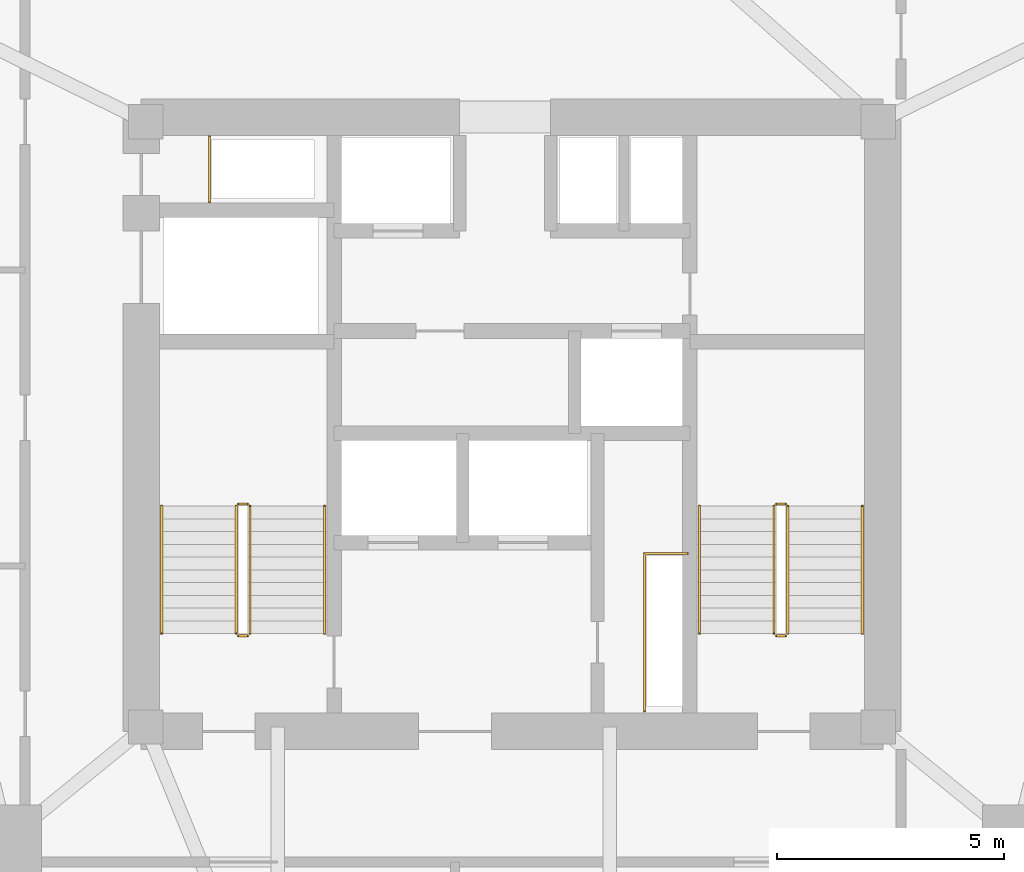
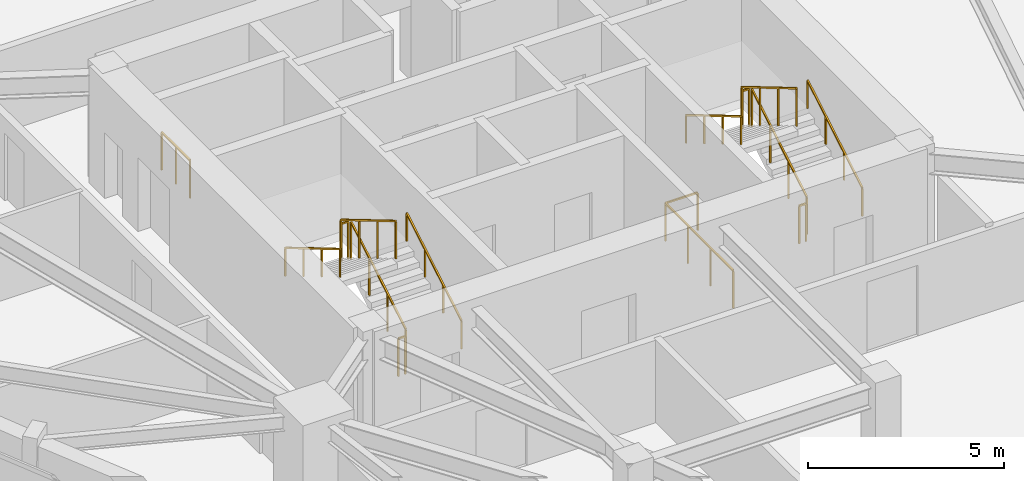
# One storey, part 11 of 11: 14 railings.
"""IFC4 building model written with IfcOpenShell, lengths in metres."""

from ifc_helpers import new_model, si_unit, direction, frame, origin, origin_2d, place, context, subcontext, project, spatial, rectangle, extrude, material, type_object, element, save


model = new_model("IFC4")

# Units and contexts
model_context = context("Model", 3, precision=1e-05, world=origin(), true_north=direction((0.0, 1.0)))
body_context = subcontext(model_context, "Body", "Model", "MODEL_VIEW")
ifc_project = project(units=[si_unit("LENGTHUNIT", "METRE"), si_unit("AREAUNIT", "SQUARE_METRE"), si_unit("VOLUMEUNIT", "CUBIC_METRE"), si_unit("PLANEANGLEUNIT", "RADIAN"), si_unit("MASSUNIT", "GRAM", prefix="KILO")], contexts=[model_context])

# Site, building, storey
site_placement = place(None, origin())
site = spatial("IfcSite", under=ifc_project, at=site_placement, CompositionType="ELEMENT")
building_placement = place(site_placement, origin())
building = spatial("IfcBuilding", under=site, at=building_placement, Name="Talyreon Biosciences Tower", CompositionType="ELEMENT")
storey_placement = place(building_placement, frame((0.0, 0.0, 160.050048828125)))
storey = spatial("IfcBuildingStorey", under=building, at=storey_placement, Name="L42", CompositionType="ELEMENT", Elevation=160.050048828125)

# Railings
ifc_material_1 = material(Name="Brushed stainless-steel tubular handrail", Category="steel")
railing_type_1 = type_object("IfcRailingType", Name="StairWallHandrail_900", PredefinedType="HANDRAIL", material=ifc_material_1)
railing_1_placement = place(storey_placement, frame((61.8798828125, 63.39990234375, 0.165771484375)))
element("IfcRailing", 1, at=railing_1_placement, inside=storey, type_object=railing_type_1, Name="L42 ST-1 stair handrail 1", PredefinedType="HANDRAIL", context=body_context, shape_type="SweptSolid", body=[
    extrude(rectangle(XDim=0.048095703125, YDim=0.048095703125, at=origin_2d()), frame((0.0, 0.0, 0.8759765625), z_axis=(0.0, 0.860306154799, 0.50977771628), x_axis=(-1.0, 0.0, 0.0)), (0.0, 0.0, 1.0), 3.254638671875),
    extrude(rectangle(XDim=0.0419921875, YDim=0.0419921875, at=origin_2d()), origin(), (0.0, 0.0, 1.0), 0.851806640625),
    extrude(rectangle(XDim=0.0419921875, YDim=0.0419921875, at=origin_2d()), frame((0.0, 0.933349609375, 0.552978515625)), (0.0, 0.0, 1.0), 0.851806640625),
    extrude(rectangle(XDim=0.0419921875, YDim=0.0419921875, at=origin_2d()), frame((0.0, 1.86669921875, 1.106201171875)), (0.0, 0.0, 1.0), 0.851806640625),
    extrude(rectangle(XDim=0.0419921875, YDim=0.0419921875, at=origin_2d()), frame((0.0, 2.800048828125, 1.6591796875)), (0.0, 0.0, 1.0), 0.851806640625),
])
railing_2_placement = place(storey_placement, frame((58.300048828125, 66.199951171875, 1.990966796875)))
element("IfcRailing", 2, at=railing_2_placement, inside=storey, type_object=railing_type_1, Name="L42 ST-1 stair handrail 2", PredefinedType="HANDRAIL", context=body_context, shape_type="SweptSolid", body=[
    extrude(rectangle(XDim=0.048095703125, YDim=0.048095703125, at=origin_2d()), frame((0.0, 0.0, 0.8759765625), z_axis=(0.0, -0.860339051648, 0.50972219513), x_axis=(1.0, 0.0, 0.0)), (0.0, 0.0, 1.0), 3.254638671875),
    extrude(rectangle(XDim=0.0419921875, YDim=0.0419921875, at=origin_2d()), origin(), (0.0, 0.0, 1.0), 0.851806640625),
    extrude(rectangle(XDim=0.0419921875, YDim=0.0419921875, at=origin_2d()), frame((0.0, -0.933349609375, 0.552978515625)), (0.0, 0.0, 1.0), 0.851806640625),
    extrude(rectangle(XDim=0.0419921875, YDim=0.0419921875, at=origin_2d()), frame((0.0, -1.86669921875, 1.10595703125)), (0.0, 0.0, 1.0), 0.851806640625),
    extrude(rectangle(XDim=0.0419921875, YDim=0.0419921875, at=origin_2d()), frame((0.0, -2.800048828125, 1.658935546875)), (0.0, 0.0, 1.0), 0.851806640625),
])
railing_3_placement = place(storey_placement, frame((73.699951171875, 63.39990234375, 0.165771484375)))
element("IfcRailing", 3, at=railing_3_placement, inside=storey, type_object=railing_type_1, Name="L42 ST-2 stair handrail 1", PredefinedType="HANDRAIL", context=body_context, shape_type="SweptSolid", body=[
    extrude(rectangle(XDim=0.048095703125, YDim=0.048095703125, at=origin_2d()), frame((0.0, 0.0, 0.8759765625), z_axis=(0.0, 0.860306154799, 0.50977771628), x_axis=(-1.0, 0.0, 0.0)), (0.0, 0.0, 1.0), 3.254638671875),
    extrude(rectangle(XDim=0.0419921875, YDim=0.0419921875, at=origin_2d()), origin(), (0.0, 0.0, 1.0), 0.851806640625),
    extrude(rectangle(XDim=0.0419921875, YDim=0.0419921875, at=origin_2d()), frame((0.0, 0.933349609375, 0.552978515625)), (0.0, 0.0, 1.0), 0.851806640625),
    extrude(rectangle(XDim=0.0419921875, YDim=0.0419921875, at=origin_2d()), frame((0.0, 1.86669921875, 1.106201171875)), (0.0, 0.0, 1.0), 0.851806640625),
    extrude(rectangle(XDim=0.0419921875, YDim=0.0419921875, at=origin_2d()), frame((0.0, 2.800048828125, 1.6591796875)), (0.0, 0.0, 1.0), 0.851806640625),
])
railing_4_placement = place(storey_placement, frame((70.1201171875, 66.199951171875, 1.990966796875)))
element("IfcRailing", 4, at=railing_4_placement, inside=storey, type_object=railing_type_1, Name="L42 ST-2 stair handrail 2", PredefinedType="HANDRAIL", context=body_context, shape_type="SweptSolid", body=[
    extrude(rectangle(XDim=0.048095703125, YDim=0.048095703125, at=origin_2d()), frame((0.0, 0.0, 0.8759765625), z_axis=(0.0, -0.860339051648, 0.50972219513), x_axis=(1.0, 0.0, 0.0)), (0.0, 0.0, 1.0), 3.254638671875),
    extrude(rectangle(XDim=0.0419921875, YDim=0.0419921875, at=origin_2d()), origin(), (0.0, 0.0, 1.0), 0.851806640625),
    extrude(rectangle(XDim=0.0419921875, YDim=0.0419921875, at=origin_2d()), frame((0.0, -0.933349609375, 0.552978515625)), (0.0, 0.0, 1.0), 0.851806640625),
    extrude(rectangle(XDim=0.0419921875, YDim=0.0419921875, at=origin_2d()), frame((0.0, -1.86669921875, 1.10595703125)), (0.0, 0.0, 1.0), 0.851806640625),
    extrude(rectangle(XDim=0.0419921875, YDim=0.0419921875, at=origin_2d()), frame((0.0, -2.800048828125, 1.658935546875)), (0.0, 0.0, 1.0), 0.851806640625),
])
ifc_material_2 = material(Name="Painted galvanised steel post-and-rail balustrade", Category="steel")
railing_type_2 = type_object("IfcRailingType", Name="TerraceStairGuard_1200", PredefinedType="GUARDRAIL", material=ifc_material_2)
railing_5_placement = place(storey_placement, frame((60.239990234375, 63.39990234375, 0.165771484375)))
element("IfcRailing", 5, at=railing_5_placement, inside=storey, type_object=railing_type_2, Name="L42 ST-1 stair guard 1", PredefinedType="GUARDRAIL", context=body_context, shape_type="SweptSolid", body=[
    extrude(rectangle(XDim=0.048095703125, YDim=0.048095703125, at=origin_2d()), frame((0.0, 0.0, 1.17578125), z_axis=(0.0, 0.860306154799, 0.50977771628), x_axis=(-1.0, 0.0, 0.0)), (0.0, 0.0, 1.0), 3.254638671875),
    extrude(rectangle(XDim=0.0419921875, YDim=0.0419921875, at=origin_2d()), origin(), (0.0, 0.0, 1.0), 1.15185546875),
    extrude(rectangle(XDim=0.0419921875, YDim=0.0419921875, at=origin_2d()), frame((0.0, 0.933349609375, 0.552978515625)), (0.0, 0.0, 1.0), 1.15185546875),
    extrude(rectangle(XDim=0.0419921875, YDim=0.0419921875, at=origin_2d()), frame((0.0, 1.86669921875, 1.106201171875)), (0.0, 0.0, 1.0), 1.15185546875),
    extrude(rectangle(XDim=0.0419921875, YDim=0.0419921875, at=origin_2d()), frame((0.0, 2.800048828125, 1.6591796875)), (0.0, 0.0, 1.0), 1.15185546875),
])
railing_6_placement = place(storey_placement, frame((60.18994140625, 66.25, 1.824951171875)))
element("IfcRailing", 6, at=railing_6_placement, inside=storey, type_object=railing_type_2, Name="L42 ST-1 stair guard 2", PredefinedType="GUARDRAIL", context=body_context, shape_type="SweptSolid", body=[
    extrude(rectangle(XDim=0.048095703125, YDim=0.048095703125, at=origin_2d()), frame((0.0, 0.0, 1.17578125), z_axis=(-1.0, 0.0, 0.0), x_axis=(0.0, -1.0, 0.0)), (0.0, 0.0, 1.0), 0.199951171875),
    extrude(rectangle(XDim=0.0419921875, YDim=0.0419921875, at=origin_2d()), origin(), (0.0, 0.0, 1.0), 1.15185546875),
    extrude(rectangle(XDim=0.0419921875, YDim=0.0419921875, at=origin_2d()), frame((-0.199951171875, 0.0, 0.0)), (0.0, 0.0, 1.0), 1.15185546875),
])
railing_7_placement = place(storey_placement, frame((59.93994140625, 66.199951171875, 1.990966796875)))
element("IfcRailing", 7, at=railing_7_placement, inside=storey, type_object=railing_type_2, Name="L42 ST-1 stair guard 3", PredefinedType="GUARDRAIL", context=body_context, shape_type="SweptSolid", body=[
    extrude(rectangle(XDim=0.048095703125, YDim=0.048095703125, at=origin_2d()), frame((0.0, 0.0, 1.17578125), z_axis=(0.0, -0.860339051648, 0.50972219513), x_axis=(1.0, 0.0, 0.0)), (0.0, 0.0, 1.0), 3.254638671875),
    extrude(rectangle(XDim=0.0419921875, YDim=0.0419921875, at=origin_2d()), origin(), (0.0, 0.0, 1.0), 1.15185546875),
    extrude(rectangle(XDim=0.0419921875, YDim=0.0419921875, at=origin_2d()), frame((0.0, -0.933349609375, 0.552978515625)), (0.0, 0.0, 1.0), 1.15185546875),
    extrude(rectangle(XDim=0.0419921875, YDim=0.0419921875, at=origin_2d()), frame((0.0, -1.86669921875, 1.10595703125)), (0.0, 0.0, 1.0), 1.15185546875),
    extrude(rectangle(XDim=0.0419921875, YDim=0.0419921875, at=origin_2d()), frame((0.0, -2.800048828125, 1.658935546875)), (0.0, 0.0, 1.0), 1.15185546875),
])
railing_8_placement = place(storey_placement, frame((60.18994140625, 63.35009765625, 0.0)))
element("IfcRailing", 8, at=railing_8_placement, inside=storey, type_object=railing_type_2, Name="L42 ST-1 stair guard 4", PredefinedType="GUARDRAIL", context=body_context, shape_type="SweptSolid", body=[
    extrude(rectangle(XDim=0.048095703125, YDim=0.048095703125, at=origin_2d()), frame((0.0, 0.0, 1.17578125), z_axis=(-1.0, 0.0, 0.0), x_axis=(0.0, -1.0, 0.0)), (0.0, 0.0, 1.0), 0.199951171875),
    extrude(rectangle(XDim=0.0419921875, YDim=0.0419921875, at=origin_2d()), origin(), (0.0, 0.0, 1.0), 1.15185546875),
    extrude(rectangle(XDim=0.0419921875, YDim=0.0419921875, at=origin_2d()), frame((-0.199951171875, 0.0, 0.0)), (0.0, 0.0, 1.0), 1.15185546875),
])
railing_9_placement = place(storey_placement, frame((72.06005859375, 63.39990234375, 0.165771484375)))
element("IfcRailing", 9, at=railing_9_placement, inside=storey, type_object=railing_type_2, Name="L42 ST-2 stair guard 1", PredefinedType="GUARDRAIL", context=body_context, shape_type="SweptSolid", body=[
    extrude(rectangle(XDim=0.048095703125, YDim=0.048095703125, at=origin_2d()), frame((0.0, 0.0, 1.17578125), z_axis=(0.0, 0.860306154799, 0.50977771628), x_axis=(-1.0, 0.0, 0.0)), (0.0, 0.0, 1.0), 3.254638671875),
    extrude(rectangle(XDim=0.0419921875, YDim=0.0419921875, at=origin_2d()), origin(), (0.0, 0.0, 1.0), 1.15185546875),
    extrude(rectangle(XDim=0.0419921875, YDim=0.0419921875, at=origin_2d()), frame((0.0, 0.933349609375, 0.552978515625)), (0.0, 0.0, 1.0), 1.15185546875),
    extrude(rectangle(XDim=0.0419921875, YDim=0.0419921875, at=origin_2d()), frame((0.0, 1.86669921875, 1.106201171875)), (0.0, 0.0, 1.0), 1.15185546875),
    extrude(rectangle(XDim=0.0419921875, YDim=0.0419921875, at=origin_2d()), frame((0.0, 2.800048828125, 1.6591796875)), (0.0, 0.0, 1.0), 1.15185546875),
])
railing_10_placement = place(storey_placement, frame((72.010009765625, 66.25, 1.824951171875)))
element("IfcRailing", 10, at=railing_10_placement, inside=storey, type_object=railing_type_2, Name="L42 ST-2 stair guard 2", PredefinedType="GUARDRAIL", context=body_context, shape_type="SweptSolid", body=[
    extrude(rectangle(XDim=0.048095703125, YDim=0.048095703125, at=origin_2d()), frame((0.0, 0.0, 1.17578125), z_axis=(-1.0, 0.0, 0.0), x_axis=(0.0, -1.0, 0.0)), (0.0, 0.0, 1.0), 0.199951171875),
    extrude(rectangle(XDim=0.0419921875, YDim=0.0419921875, at=origin_2d()), origin(), (0.0, 0.0, 1.0), 1.15185546875),
    extrude(rectangle(XDim=0.0419921875, YDim=0.0419921875, at=origin_2d()), frame((-0.199951171875, 0.0, 0.0)), (0.0, 0.0, 1.0), 1.15185546875),
])
railing_11_placement = place(storey_placement, frame((71.760009765625, 66.199951171875, 1.990966796875)))
element("IfcRailing", 11, at=railing_11_placement, inside=storey, type_object=railing_type_2, Name="L42 ST-2 stair guard 3", PredefinedType="GUARDRAIL", context=body_context, shape_type="SweptSolid", body=[
    extrude(rectangle(XDim=0.048095703125, YDim=0.048095703125, at=origin_2d()), frame((0.0, 0.0, 1.17578125), z_axis=(0.0, -0.860339051648, 0.50972219513), x_axis=(1.0, 0.0, 0.0)), (0.0, 0.0, 1.0), 3.254638671875),
    extrude(rectangle(XDim=0.0419921875, YDim=0.0419921875, at=origin_2d()), origin(), (0.0, 0.0, 1.0), 1.15185546875),
    extrude(rectangle(XDim=0.0419921875, YDim=0.0419921875, at=origin_2d()), frame((0.0, -0.933349609375, 0.552978515625)), (0.0, 0.0, 1.0), 1.15185546875),
    extrude(rectangle(XDim=0.0419921875, YDim=0.0419921875, at=origin_2d()), frame((0.0, -1.86669921875, 1.10595703125)), (0.0, 0.0, 1.0), 1.15185546875),
    extrude(rectangle(XDim=0.0419921875, YDim=0.0419921875, at=origin_2d()), frame((0.0, -2.800048828125, 1.658935546875)), (0.0, 0.0, 1.0), 1.15185546875),
])
railing_12_placement = place(storey_placement, frame((72.010009765625, 63.35009765625, 0.0)))
element("IfcRailing", 12, at=railing_12_placement, inside=storey, type_object=railing_type_2, Name="L42 ST-2 stair guard 4", PredefinedType="GUARDRAIL", context=body_context, shape_type="SweptSolid", body=[
    extrude(rectangle(XDim=0.048095703125, YDim=0.048095703125, at=origin_2d()), frame((0.0, 0.0, 1.17578125), z_axis=(-1.0, 0.0, 0.0), x_axis=(0.0, -1.0, 0.0)), (0.0, 0.0, 1.0), 0.199951171875),
    extrude(rectangle(XDim=0.0419921875, YDim=0.0419921875, at=origin_2d()), origin(), (0.0, 0.0, 1.0), 1.15185546875),
    extrude(rectangle(XDim=0.0419921875, YDim=0.0419921875, at=origin_2d()), frame((-0.199951171875, 0.0, 0.0)), (0.0, 0.0, 1.0), 1.15185546875),
])
railing_13_placement = place(storey_placement, frame((59.35009765625, 72.8798828125, 0.0)))
element("IfcRailing", 13, at=railing_13_placement, inside=storey, type_object=railing_type_2, Name="L42 Exhaust Riser Maintenance Guardrail", PredefinedType="GUARDRAIL", context=body_context, shape_type="SweptSolid", body=[
    extrude(rectangle(XDim=0.048095703125, YDim=0.048095703125, at=origin_2d()), frame((0.0, 0.0, 1.17578125), z_axis=(0.0, 1.0, 0.0), x_axis=(-1.0, 0.0, 0.0)), (0.0, 0.0, 1.0), 1.4501953125),
    extrude(rectangle(XDim=0.0419921875, YDim=0.0419921875, at=origin_2d()), origin(), (0.0, 0.0, 1.0), 1.15185546875),
    extrude(rectangle(XDim=0.0419921875, YDim=0.0419921875, at=origin_2d()), frame((0.0, 0.72509765625, 0.0)), (0.0, 0.0, 1.0), 1.15185546875),
    extrude(rectangle(XDim=0.0419921875, YDim=0.0419921875, at=origin_2d()), frame((0.0, 1.4501953125, 0.0)), (0.0, 0.0, 1.0), 1.15185546875),
])
railing_14_placement = place(storey_placement, frame((68.909912109375, 61.699951171875, 0.0)))
element("IfcRailing", 14, at=railing_14_placement, inside=storey, type_object=railing_type_2, Name="L42 Electrical Riser Maintenance Guardrail", PredefinedType="GUARDRAIL", context=body_context, shape_type="SweptSolid", body=[
    extrude(rectangle(XDim=0.048095703125, YDim=0.048095703125, at=origin_2d()), frame((0.0, 0.0, 1.17578125), z_axis=(0.0, 1.0, 0.0), x_axis=(-1.0, 0.0, 0.0)), (0.0, 0.0, 1.0), 3.4599609375),
    extrude(rectangle(XDim=0.048095703125, YDim=0.048095703125, at=origin_2d()), frame((0.0, 3.4599609375, 1.17578125), z_axis=(1.0, 0.0, 0.0), x_axis=(0.0, 1.0, 0.0)), (0.0, 0.0, 1.0), 0.9501953125),
    extrude(rectangle(XDim=0.0419921875, YDim=0.0419921875, at=origin_2d()), origin(), (0.0, 0.0, 1.0), 1.15185546875),
    extrude(rectangle(XDim=0.0419921875, YDim=0.0419921875, at=origin_2d()), frame((0.0, 1.1533203125, 0.0)), (0.0, 0.0, 1.0), 1.15185546875),
    extrude(rectangle(XDim=0.0419921875, YDim=0.0419921875, at=origin_2d()), frame((0.0, 2.306640625, 0.0)), (0.0, 0.0, 1.0), 1.15185546875),
    extrude(rectangle(XDim=0.0419921875, YDim=0.0419921875, at=origin_2d()), frame((0.0, 3.4599609375, 0.0)), (0.0, 0.0, 1.0), 1.15185546875),
    extrude(rectangle(XDim=0.0419921875, YDim=0.0419921875, at=origin_2d()), frame((0.9501953125, 3.4599609375, 0.0)), (0.0, 0.0, 1.0), 1.15185546875),
])

save(model, "model.ifc")
